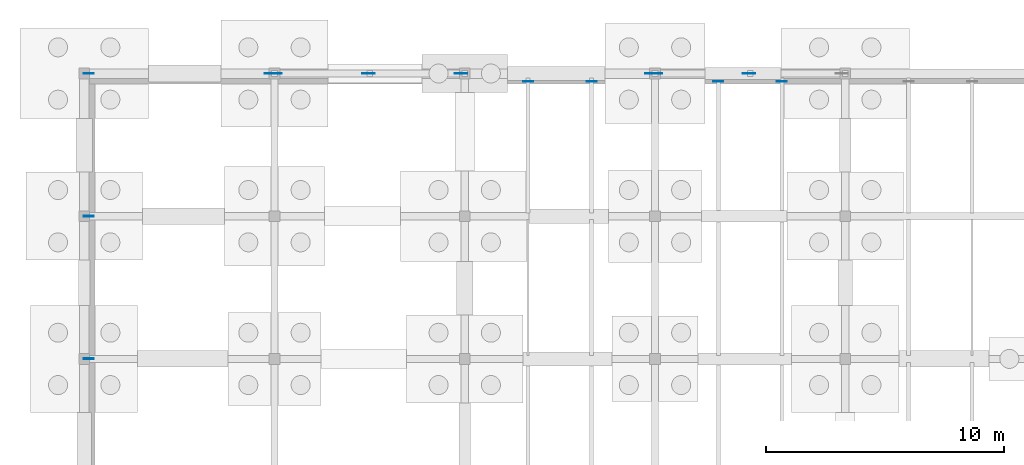
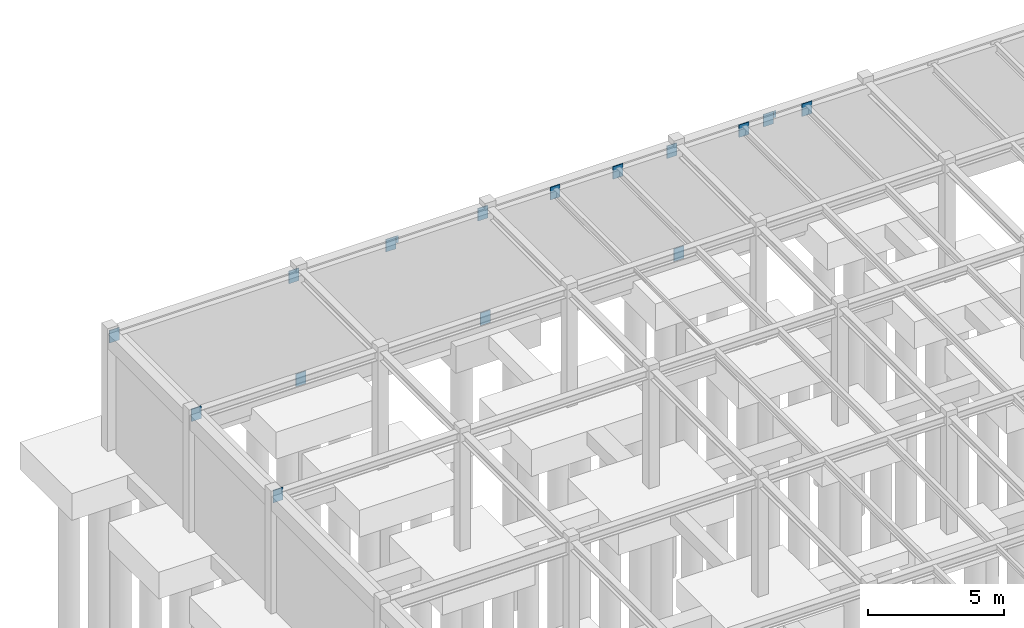
# One storey, part 39 of 71: 17 plates.
"""IFC4 building model written with IfcOpenShell, lengths in metres."""

from ifc_helpers import new_model, si_unit, direction, frame, origin, origin_2d, place, context, subcontext, project, spatial, rectangle, extrude, material, layer, layer_set, type_object, element, save


model = new_model("IFC4")

# Units and contexts
model_context = context("Model", 3, precision=1e-05, world=origin(), true_north=direction((0.0, 1.0)))
body_context = subcontext(model_context, "Body", "Model", "MODEL_VIEW")
ifc_project = project(units=[si_unit("LENGTHUNIT", "METRE"), si_unit("AREAUNIT", "SQUARE_METRE"), si_unit("VOLUMEUNIT", "CUBIC_METRE"), si_unit("PLANEANGLEUNIT", "RADIAN"), si_unit("MASSUNIT", "GRAM", prefix="KILO")], contexts=[model_context])

# Site, building, storey
site_placement = place(None, origin())
site = spatial("IfcSite", under=ifc_project, at=site_placement, CompositionType="ELEMENT")
building_placement = place(site_placement, origin())
building = spatial("IfcBuilding", under=site, at=building_placement, Name="Sundkrona Museum", CompositionType="ELEMENT")
storey_placement = place(building_placement, frame((0.0, 0.0, -5.39990234375)))
storey = spatial("IfcBuildingStorey", under=building, at=storey_placement, Name="B1", CompositionType="ELEMENT", Elevation=-5.39990234375)

# Plates
ifc_material = material(Name="Steel S355J2", Category="steel")
ifc_layer_1 = layer(ifc_material, 0.034912109375)
ifc_layer_set_1 = layer_set([ifc_layer_1], Name="Steel S355J2")
plate_type_1 = type_object("IfcPlateType", Name="EP-1", PredefinedType="USERDEFINED", material=ifc_layer_set_1)
for number, where, z_axis, x_axis, name in (
    (1, (0.199951171875, 102.0, 4.679931640625), (0.0, 0.0, 1.0), (1.0, 0.0, 0.0), "Structural Wall Cast-In Embed Plate BM-B1-X-0155-1"),
    (2, (0.199951171875, 108.0, 4.679931640625), (0.0, 0.0, 1.0), (1.0, 0.0, 0.0), "Structural Wall Cast-In Embed Plate BM-B1-X-0175-1"),
    (3, (0.199951171875, 114.0, 4.554931640625), (0.0, 0.0, 1.0), (1.0, 0.0, 0.0), "Structural Wall Cast-In Embed Plate BM-B1-X-0193-1"),
    (4, (7.800048828125, 114.0, 4.554931640625), (0.0, 0.0, 1.0), (1.0, 0.0, 0.0), "Structural Wall Cast-In Embed Plate BM-B1-X-0193-2"),
    (5, (15.800048828125, 114.0, 4.554931640625), (0.0, 0.0, 1.0), (1.0, 0.0, 0.0), "Structural Wall Cast-In Embed Plate BM-B1-X-0194-2"),
    (6, (23.800048828125, 114.0, 4.554931640625), (0.0, 0.0, 1.0), (1.0, 0.0, 0.0), "Structural Wall Cast-In Embed Plate BM-B1-X-0195-2"),
    (7, (18.666748046875, 113.664306640625, 4.699951171875), (0.0, 0.0, 1.0), (1.0, 0.0, 0.0), "Structural Wall Cast-In Embed Plate JS-B1-0017-2"),
    (8, (21.333251953125, 113.664306640625, 4.699951171875), (0.0, 0.0, 1.0), (1.0, 0.0, 0.0), "Structural Wall Cast-In Embed Plate JS-B1-0018-2"),
    (9, (26.666748046875, 113.664306640625, 4.699951171875), (0.0, 0.0, 1.0), (1.0, 0.0, 0.0), "Structural Wall Cast-In Embed Plate JS-B1-0038-2"),
    (10, (29.333251953125, 113.664306640625, 4.699951171875), (0.0, 0.0, 1.0), (1.0, 0.0, 0.0), "Structural Wall Cast-In Embed Plate JS-B1-0039-2"),
    (11, (24.10009765625, 114.0, -0.15673828125), (0.0, 0.0, 1.0), (1.0, 0.0, 0.0), "Structural Wall Cast-In Embed Plate BR-B1-013A-1"),
    (12, (27.89990234375, 114.0, 4.536376953125), (0.0, 0.0, 1.0), (1.0, 0.0, 0.0), "Structural Wall Cast-In Embed Plate BR-B1-013A-2"),
    (13, (8.10009765625, 114.0, -0.15673828125), (0.0, 0.0, 1.0), (1.0, 0.0, 0.0), "Structural Wall Cast-In Embed Plate BR-B1-032A-1"),
    (14, (11.89990234375, 114.0, 4.536376953125), (0.0, 0.0, 1.0), (1.0, 0.0, 0.0), "Structural Wall Cast-In Embed Plate BR-B1-032A-2"),
    (15, (15.89990234375, 114.0, -0.15673828125), (0.0, 0.0, 1.0), (1.0, 0.0, 0.0), "Structural Wall Cast-In Embed Plate BR-B1-032B-1"),
):
    element("IfcPlate", number, at=place(storey_placement, frame(where, z_axis=z_axis, x_axis=x_axis)), inside=storey, type_object=plate_type_1, Name=name, ObjectType="GUSSET PLATE", PredefinedType="USERDEFINED", context=body_context, shape_type="SweptSolid", body=[
        extrude(rectangle(XDim=0.419921875, YDim=0.034912109375, at=origin_2d()), origin(), (0.0, 0.0, 1.0), 0.56005859375),
    ])
ifc_layer_2 = layer(ifc_material, 0.02197265625)
ifc_layer_set_2 = layer_set([ifc_layer_2], Name="Steel S355J2")
plate_type_2 = type_object("IfcPlateType", Name="GP-5", PredefinedType="USERDEFINED", material=ifc_layer_set_2)
for number, where, z_axis, x_axis, name in (
    (16, (28.0, 114.0, 4.784912109375), (0.0, 0.0, 1.0), (1.0, 0.0, 0.0), "B1 Chevron Apex Gusset Plate 013"),
    (17, (12.0, 114.0, 4.784912109375), (0.0, 0.0, 1.0), (1.0, 0.0, 0.0), "B1 Chevron Apex Gusset Plate 032"),
):
    element("IfcPlate", number, at=place(storey_placement, frame(where, z_axis=z_axis, x_axis=x_axis)), inside=storey, type_object=plate_type_2, Name=name, ObjectType="GUSSET PLATE", PredefinedType="USERDEFINED", context=body_context, shape_type="SweptSolid", body=[
        extrude(rectangle(XDim=0.43994140625, YDim=0.02197265625, at=origin_2d()), origin(), (0.0, 0.0, 1.0), 0.31005859375),
    ])

save(model, "model.ifc")
